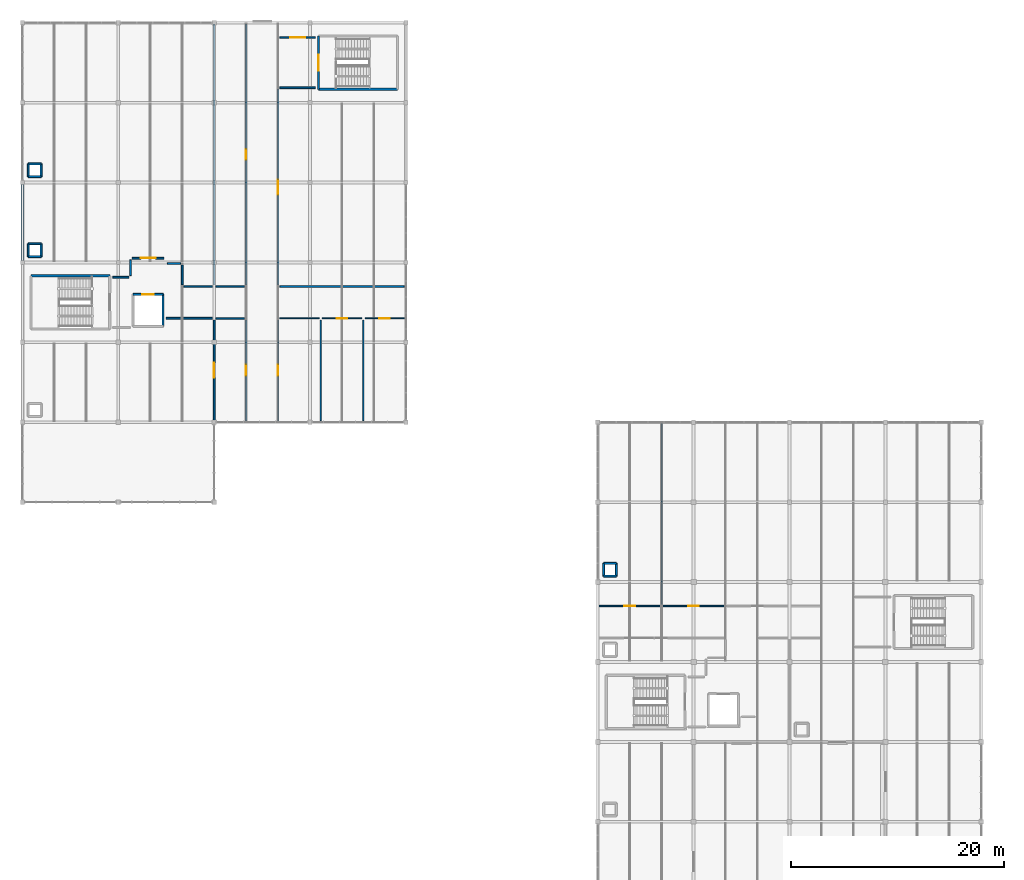
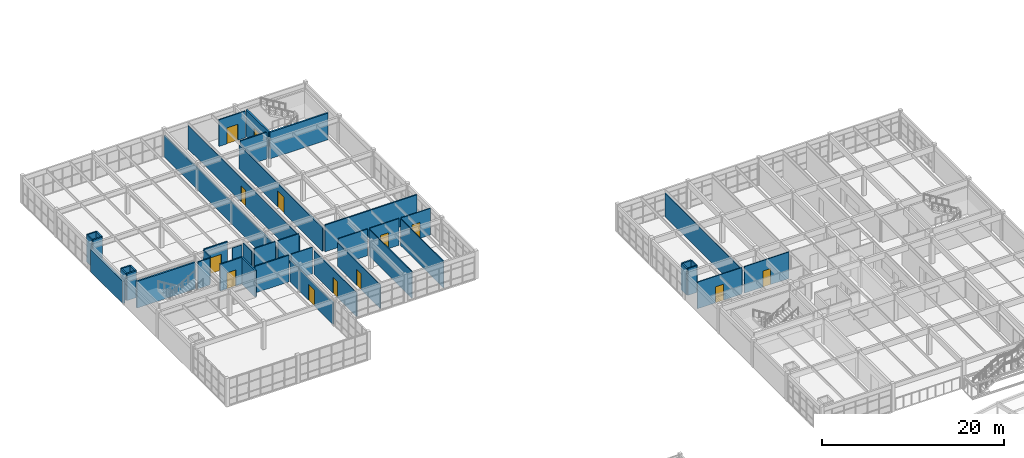
# One storey, part 76 of 81: 44 walls, 13 doors, 13 openings.
"""IFC4 building model written with IfcOpenShell, lengths in metres."""

import ifcopenshell
import ifcopenshell.guid

model = None  # the IFC model being written
_history = None  # IfcOwnerHistory: only IFC2X3 demands one
_inside = {}  # id of a spatial element -> (the spatial element, [elements in it])
_under = {}  # id of a project, library or spatial element -> (it, [spatial elements below it])
_declared = {}  # id of a project -> (the project, [libraries it declares])
_typed = {}  # id of a type object -> (the type object, [elements of that type])
_made_of = {}  # id of a material, layer set ... -> (it, [elements and type objects made of it])


def new_model(schema):
    """Start an empty IFC model of exactly this schema.

    Asked for "IFC4X3", IfcOpenShell would pick the latest addendum, in which some entities
    have other attributes; the version numbers below select the first issue.
    IFC2X3 requires an IfcOwnerHistory on every rooted entity: one is made here for all.
    """
    global model, _history
    if schema == "IFC4X3":
        model = ifcopenshell.file(schema_version=(4, 3, 0, 0))
    else:
        model = ifcopenshell.file(schema=schema)
    _inside.clear()
    _under.clear()
    _declared.clear()
    _typed.clear()
    _made_of.clear()
    _history = None
    if model.schema == "IFC2X3":
        org = make("IfcOrganization", Name="unknown")
        user = make(
            "IfcPersonAndOrganization",
            ThePerson=make("IfcPerson", FamilyName="unknown"),
            TheOrganization=org,
        )
        app = make(
            "IfcApplication",
            ApplicationDeveloper=org,
            Version="unknown",
            ApplicationFullName="unknown",
            ApplicationIdentifier="unknown",
        )
        _history = make(
            "IfcOwnerHistory",
            OwningUser=user,
            OwningApplication=app,
            ChangeAction="ADDED",
            CreationDate=0,
        )
    return model


def make(cls, **values):
    """One entity of the class cls with the attributes given. An attribute that is None is left unset."""
    return model.create_entity(
        cls, **{name: value for name, value in values.items() if value is not None}
    )


def rooted(cls, **values):
    """An entity with a GlobalId (a new one), such as an element, a storey or a relation."""
    return make(cls, GlobalId=ifcopenshell.guid.new(), OwnerHistory=_history, **values)


def si_unit(unit_type, name, prefix=None):
    """IfcSIUnit, for example si_unit("LENGTHUNIT", "METRE", prefix="MILLI")."""
    return make("IfcSIUnit", UnitType=unit_type, Prefix=prefix, Name=name)


def assignment(units):
    """IfcUnitAssignment: the units of a project."""
    return None if units is None else make("IfcUnitAssignment", Units=units)


def point(xyz):
    """IfcCartesianPoint."""
    return None if xyz is None else make("IfcCartesianPoint", Coordinates=xyz)


def direction(xyz):
    """IfcDirection."""
    return None if xyz is None else make("IfcDirection", DirectionRatios=xyz)


def frame(location, z_axis=None, x_axis=None):
    """IfcAxis2Placement3D, a coordinate frame: its origin and axes. An axis left out is left unset."""
    return make(
        "IfcAxis2Placement3D",
        Location=point(location),
        Axis=direction(z_axis),
        RefDirection=direction(x_axis),
    )


def frame_2d(location, x_axis=None):
    """IfcAxis2Placement2D, a coordinate frame in the plane: its origin and x axis."""
    return make(
        "IfcAxis2Placement2D", Location=point(location), RefDirection=direction(x_axis)
    )


def origin():
    """The frame at (0, 0, 0) with its axes left unset."""
    return frame((0.0, 0.0, 0.0))


def place(relative_to, where):
    """IfcLocalPlacement: puts the frame where relative to a parent placement (None: the world)."""
    return make(
        "IfcLocalPlacement", PlacementRelTo=relative_to, RelativePlacement=where
    )


def context(
    kind, dimensions, precision=None, world=None, true_north=None, identifier=None
):
    """IfcGeometricRepresentationContext, for example the 3D "Model" context."""
    return make(
        "IfcGeometricRepresentationContext",
        ContextIdentifier=identifier,
        ContextType=kind,
        CoordinateSpaceDimension=dimensions,
        Precision=precision,
        WorldCoordinateSystem=world,
        TrueNorth=true_north,
    )


def subcontext(parent, identifier, kind, view, scale=None):
    """IfcGeometricRepresentationSubContext, for example "Body" below "Model"."""
    return make(
        "IfcGeometricRepresentationSubContext",
        ContextIdentifier=identifier,
        ContextType=kind,
        ParentContext=parent,
        TargetScale=scale,
        TargetView=view,
    )


def project(units=None, contexts=None):
    """IfcProject with its units and contexts."""
    return rooted(
        "IfcProject",
        Name="project",
        RepresentationContexts=contexts,
        UnitsInContext=assignment(units),
    )


def spatial(cls, under=None, at=None, **own):
    """A site, building, storey or space (cls), placed at a placement, below another one or the project."""
    s = rooted(cls, ObjectPlacement=at, **own)
    if under is not None:
        _under.setdefault(under.id(), (under, []))[1].append(s)
    return s


def profile(cls, at=None, kind="AREA", **sizes):
    """A parametric profile (cls). Its sizes go by their IFC names, for example OverallWidth=200.0."""
    return make(cls, ProfileType=kind, Position=at, **sizes)


def rectangle(**sizes):
    """IfcRectangleProfileDef."""
    return profile("IfcRectangleProfileDef", **sizes)


def extrude(swept, where, along, depth):
    """IfcExtrudedAreaSolid: the profile swept, set in the frame where, extruded along a direction by depth."""
    return make(
        "IfcExtrudedAreaSolid",
        SweptArea=swept,
        Position=where,
        ExtrudedDirection=direction(along),
        Depth=depth,
    )


def shape(context_of_items, identifier, shape_type, items):
    """IfcShapeRepresentation: the items that make up one representation, for example the "Body"."""
    return make(
        "IfcShapeRepresentation",
        ContextOfItems=context_of_items,
        RepresentationIdentifier=identifier,
        RepresentationType=shape_type,
        Items=items,
    )


def material(Name=None, Category=None):
    """IfcMaterial."""
    return make("IfcMaterial", Name=Name, Category=Category)


def layer(
    of_material, thickness, ventilated=None, Name=None, Category=None, Priority=None
):
    """IfcMaterialLayer: one layer of a wall or slab, of a material (None: an air gap)."""
    return make(
        "IfcMaterialLayer",
        Material=of_material,
        LayerThickness=thickness,
        IsVentilated=ventilated,
        Name=Name,
        Category=Category,
        Priority=Priority,
    )


def layer_set(layers, Name=None):
    """IfcMaterialLayerSet."""
    return make("IfcMaterialLayerSet", MaterialLayers=layers, LayerSetName=Name)


def made_of(thing, what):
    """Note that an element or type object is made of a material, layer set ...; save() writes the relation."""
    if what is not None:
        _made_of.setdefault(what.id(), (what, []))[1].append(thing)
    return thing


def type_object(cls, material=None, **own):
    """A type object (cls), such as IfcWallType, which elements share."""
    return made_of(rooted(cls, **own), material)


def element(
    cls,
    number,
    at=None,
    inside=None,
    cuts=None,
    type_object=None,
    material=None,
    context=None,
    identifier="Body",
    shape_type=None,
    held_by="IfcProductDefinitionShape",
    body=None,
    shapes=None,
    **own,
):
    """One element of the class cls, such as IfcWall. Its Tag is "e" and its number.

    at: its placement. inside: the storey or other place that contains it. cuts: it is an
    opening in that element (IfcRelVoidsElement). A single representation is given by context,
    identifier, shape_type and body (its items); several are given by shapes. held_by: the class
    of the entity that holds the representations. save() writes the other relations.
    """
    e = rooted(cls, Tag="e%d" % number, ObjectPlacement=at, **own)
    if body is not None:
        shapes = [shape(context, identifier, shape_type, body)]
    if shapes is not None:
        e.Representation = make(held_by, Representations=shapes)
    if inside is not None:
        _inside.setdefault(inside.id(), (inside, []))[1].append(e)
    if cuts is not None:
        rooted(
            "IfcRelVoidsElement", RelatingBuildingElement=cuts, RelatedOpeningElement=e
        )
    if type_object is not None:
        _typed.setdefault(type_object.id(), (type_object, []))[1].append(e)
    return made_of(e, material)


def fill(opening, filler):
    """IfcRelFillsElement: the door or window that sits in an opening."""
    return rooted(
        "IfcRelFillsElement",
        RelatingOpeningElement=opening,
        RelatedBuildingElement=filler,
    )


def aggregate(whole, parts):
    """IfcRelAggregates: a whole, such as a stair, and the parts it consists of."""
    return rooted("IfcRelAggregates", RelatingObject=whole, RelatedObjects=parts)


def save(model, path):
    """Write the relations noted so far, then the file.

    IfcRelAggregates (storeys below a building ...), IfcRelContainedInSpatialStructure (elements
    in a storey), IfcRelDefinesByType, IfcRelAssociatesMaterial and IfcRelDeclares: one each for
    every whole, place, type object, material and project.
    """
    for whole, parts in _under.values():
        aggregate(whole, parts)
    for where, things in _inside.values():
        rooted(
            "IfcRelContainedInSpatialStructure",
            RelatedElements=things,
            RelatingStructure=where,
        )
    for kind, things in _typed.values():
        rooted("IfcRelDefinesByType", RelatedObjects=things, RelatingType=kind)
    for what, things in _made_of.values():
        rooted("IfcRelAssociatesMaterial", RelatedObjects=things, RelatingMaterial=what)
    for by, libraries in _declared.values():
        rooted("IfcRelDeclares", RelatingContext=by, RelatedDefinitions=libraries)
    model.write(path)


model = new_model("IFC4")

# Units and contexts
model_context = context("Model", 3, precision=1e-05, world=origin(), true_north=direction((0.0, 1.0)))
body_context = subcontext(model_context, "Body", "Model", "MODEL_VIEW")
ifc_project = project(units=[si_unit("LENGTHUNIT", "METRE"), si_unit("AREAUNIT", "SQUARE_METRE"), si_unit("VOLUMEUNIT", "CUBIC_METRE"), si_unit("PLANEANGLEUNIT", "RADIAN"), si_unit("MASSUNIT", "GRAM", prefix="KILO")], contexts=[model_context])

# Site, building, storey
site_placement = place(None, origin())
site = spatial("IfcSite", under=ifc_project, at=site_placement, CompositionType="ELEMENT")
building_placement = place(site_placement, origin())
building = spatial("IfcBuilding", under=site, at=building_placement, Name="Marnridge Secondary College", CompositionType="ELEMENT")
storey_placement = place(building_placement, frame((0.0, 0.0, 8.5)))
storey = spatial("IfcBuildingStorey", under=building, at=storey_placement, Name="L02", CompositionType="ELEMENT", Elevation=8.5)

# Walls
ifc_material_1 = material(Name="Concrete C40/50 (AS 3600 N40, 40 MPa)", Category="concrete")
ifc_layer_1 = layer(ifc_material_1, 0.199951171875)
ifc_layer_set_1 = layer_set([ifc_layer_1], Name="WT-CORE-RC200")
wall_type_1 = type_object("IfcWallType", Name="WT-CORE-RC200", PredefinedType="SHEAR", material=ifc_layer_set_1)
for number, where, z_axis, x_axis, name in (
    (1, (8.199951171875, 96.25, 0.0), (0.0, 0.0, 1.0), (-1.0, 0.0, 0.0), "Stair core shear wall WC-L02-0347"),
    (2, (27.800048828125, 113.75, 0.0), (0.0, 0.0, 1.0), (1.0, 0.0, 0.0), "Stair core shear wall WC-L02-0361"),
):
    element("IfcWall", number, at=place(storey_placement, frame(where, z_axis=z_axis, x_axis=x_axis)), inside=storey, type_object=wall_type_1, Name=name, PredefinedType="SHEAR", context=body_context, shape_type="SweptSolid", body=[
        extrude(rectangle(XDim=7.39990234375, YDim=0.199951171875, at=frame_2d((3.699951171875, 0.0))), origin(), (0.0, 0.0, 1.0), 3.580078125),
    ])

# Wall, opening, door
wall_1_placement = place(storey_placement, frame((27.800048828125, 118.75, 0.0), z_axis=(0.0, 0.0, 1.0), x_axis=(0.0, -1.0, 0.0)))
wall_1 = element("IfcWall", 3, at=wall_1_placement, inside=storey, type_object=wall_type_1, Name="Stair core shear wall WC-L02-0364", PredefinedType="SHEAR", context=body_context, shape_type="SweptSolid", body=[
    extrude(rectangle(XDim=5.0, YDim=0.199951171875, at=frame_2d((2.5, 0.0))), origin(), (0.0, 0.0, 1.0), 3.580078125),
])
opening_1_placement = place(wall_1_placement, frame((1.75, 0.0, 0.0)))
opening_1 = element("IfcOpeningElement", 4, at=opening_1_placement, cuts=wall_1, Name="Opening DC-L02-029", PredefinedType="OPENING", context=body_context, shape_type="SweptSolid", body=[
    extrude(rectangle(XDim=1.5, YDim=2.14990234375, at=frame_2d((0.75, 1.074951171875))), frame((0.0, 0.10986328125, 0.0), z_axis=(0.0, -1.0, 0.0), x_axis=(1.0, 0.0, 0.0)), (0.0, 0.0, 1.0), 0.219970703125),
])
ifc_material_2 = material(Name="Fire-rated solid-core timber doorset", Category="wood")
door_type_1 = type_object("IfcDoorType", Name="DT-CORE-FD150", OperationType="DOUBLE_DOOR_SINGLE_SWING", PredefinedType="DOOR", material=ifc_material_2)
door_1_placement = place(opening_1_placement, origin())
door_1 = element("IfcDoor", 5, at=door_1_placement, inside=storey, type_object=door_type_1, Name="Fire stair door DC-L02-029", OperationType="DOUBLE_DOOR_SINGLE_SWING", OverallHeight=2.14990234375, OverallWidth=1.5, PredefinedType="DOOR", context=body_context, shape_type="SweptSolid", body=[
    extrude(rectangle(XDim=1.5, YDim=2.14990234375, at=frame_2d((0.75, 1.074951171875))), frame((0.0, 0.02490234375, 0.0), z_axis=(0.0, -1.0, 0.0), x_axis=(1.0, 0.0, 0.0)), (0.0, 0.0, 1.0), 0.050048828125),
])
fill(opening_1, door_1)

# Walls
ifc_material_3 = material(Name="Precast concrete C40/50 (AS 3600 N40, 40 MPa)", Category="concrete")
ifc_layer_2 = layer(ifc_material_3, 0.260009765625)
ifc_layer_set_2 = layer_set([ifc_layer_2], Name="WT-EXT-PC260")
wall_type_2 = type_object("IfcWallType", Name="WT-EXT-PC260", PredefinedType="SOLIDWALL", material=ifc_layer_set_2)
wall_2_placement = place(storey_placement, frame((0.0, 97.696044921875, 0.0), z_axis=(0.0, 0.0, 1.0), x_axis=(0.0, 1.0, 0.0)))
element("IfcWall", 6, at=wall_2_placement, inside=storey, type_object=wall_type_2, Name="Exterior wall WE-L02-0157", PredefinedType="SOLIDWALL", context=body_context, shape_type="SweptSolid", body=[
    extrude(rectangle(XDim=7.10791015625, YDim=0.260009765625, at=frame_2d((3.553955078125, 0.0))), origin(), (0.0, 0.0, 1.0), 2.987060546875),
])
ifc_material_4 = material(Name="Acoustic plasterboard partition Rw45", Category="gypsum")
ifc_layer_3 = layer(ifc_material_4, 0.1201171875)
ifc_layer_set_3 = layer_set([ifc_layer_3], Name="WT-PART-AC120")
wall_type_3 = type_object("IfcWallType", Name="WT-PART-AC120", PredefinedType="PARTITIONING", material=ifc_layer_set_3)
wall_3_placement = place(storey_placement, frame((20.840087890625, 92.25, 0.0), z_axis=(0.0, 0.0, 1.0), x_axis=(-1.0, 0.0, 0.0)))
element("IfcWall", 7, at=wall_3_placement, inside=storey, type_object=wall_type_3, Name="Interior partition WP-L02-0281", PredefinedType="PARTITIONING", context=body_context, shape_type="SweptSolid", body=[
    extrude(rectangle(XDim=2.68017578125, YDim=0.1201171875, at=frame_2d((1.340087890625, 0.0))), origin(), (0.0, 0.0, 1.0), 3.580078125),
])

# Wall, opening, door
wall_4_placement = place(storey_placement, frame((21.0, 95.409912109375, 0.0), z_axis=(0.0, 0.0, 1.0), x_axis=(0.0, 1.0, 0.0)))
wall_4 = element("IfcWall", 8, at=wall_4_placement, inside=storey, type_object=wall_type_3, Name="Interior partition WP-L02-0289", PredefinedType="PARTITIONING", context=body_context, shape_type="SweptSolid", body=[
    extrude(rectangle(XDim=24.43017578125, YDim=0.1201171875, at=frame_2d((12.215087890625, 0.0))), origin(), (0.0, 0.0, 1.0), 3.172119140625),
])
opening_2_placement = place(wall_4_placement, frame((11.715087890625, 0.0, 0.0)))
opening_2 = element("IfcOpeningElement", 9, at=opening_2_placement, cuts=wall_4, Name="Opening DI-L02-0103", PredefinedType="OPENING", context=body_context, shape_type="SweptSolid", body=[
    extrude(rectangle(XDim=1.0, YDim=2.14990234375, at=frame_2d((0.5, 1.074951171875))), frame((0.0, 0.070068359375, 0.0), z_axis=(0.0, -1.0, 0.0), x_axis=(1.0, 0.0, 0.0)), (0.0, 0.0, 1.0), 0.14013671875),
])
ifc_material_5 = material(Name="Solid-core acoustic hoop-pine classroom doorset", Category="wood")
door_type_2 = type_object("IfcDoorType", Name="DT-CLS-100", OperationType="NOTDEFINED", PredefinedType="DOOR", material=ifc_material_5)
door_2_placement = place(opening_2_placement, origin())
door_2 = element("IfcDoor", 10, at=door_2_placement, inside=storey, type_object=door_type_2, Name="Interior door DI-L02-0103", OperationType="SINGLE_SWING_LEFT", OverallHeight=2.14990234375, OverallWidth=1.0, PredefinedType="DOOR", context=body_context, shape_type="SweptSolid", body=[
    extrude(rectangle(XDim=1.0, YDim=2.14990234375, at=frame_2d((0.5, 1.074951171875))), frame((0.0, 0.02490234375, 0.0), z_axis=(0.0, -1.0, 0.0), x_axis=(1.0, 0.0, 0.0)), (0.0, 0.0, 1.0), 0.050048828125),
])
fill(opening_2, door_2)

ifc_material_6 = material(Name="Acoustic plasterboard partition Rw48", Category="gypsum")
ifc_layer_4 = layer(ifc_material_6, 0.135009765625)
ifc_layer_set_4 = layer_set([ifc_layer_4], Name="WT-PART-AC135")
wall_type_4 = type_object("IfcWallType", Name="WT-PART-AC135", PredefinedType="PARTITIONING", material=ifc_layer_set_4)
wall_5_placement = place(storey_placement, frame((21.0, 82.659912109375, 0.0), z_axis=(0.0, 0.0, 1.0), x_axis=(0.0, 1.0, 0.0)))
wall_5 = element("IfcWall", 11, at=wall_5_placement, inside=storey, type_object=wall_type_4, Name="Interior partition WP-L02-0280", PredefinedType="PARTITIONING", context=body_context, shape_type="SweptSolid", body=[
    extrude(rectangle(XDim=9.43017578125, YDim=0.135009765625, at=frame_2d((4.715087890625, 0.0))), origin(), (0.0, 0.0, 1.0), 3.172119140625),
])
opening_3_placement = place(wall_5_placement, frame((4.215087890625, 0.0, 0.0)))
opening_3 = element("IfcOpeningElement", 12, at=opening_3_placement, cuts=wall_5, Name="Opening DI-L02-0101", PredefinedType="OPENING", context=body_context, shape_type="SweptSolid", body=[
    extrude(rectangle(XDim=1.0, YDim=2.14990234375, at=frame_2d((0.5, 1.074951171875))), frame((0.0, 0.077392578125, 0.0), z_axis=(0.0, -1.0, 0.0), x_axis=(1.0, 0.0, 0.0)), (0.0, 0.0, 1.0), 0.155029296875),
])
door_3_placement = place(opening_3_placement, origin())
door_3 = element("IfcDoor", 13, at=door_3_placement, inside=storey, type_object=door_type_2, Name="Interior door DI-L02-0101", OperationType="SINGLE_SWING_LEFT", OverallHeight=2.14990234375, OverallWidth=1.0, PredefinedType="DOOR", context=body_context, shape_type="SweptSolid", body=[
    extrude(rectangle(XDim=1.0, YDim=2.14990234375, at=frame_2d((0.5, 1.074951171875))), frame((0.0, 0.02490234375, 0.0), z_axis=(0.0, -1.0, 0.0), x_axis=(1.0, 0.0, 0.0)), (0.0, 0.0, 1.0), 0.050048828125),
])
fill(opening_3, door_3)

# Walls
wall_6_placement = place(storey_placement, frame((18.159912109375, 95.25, 0.0), z_axis=(0.0, 0.0, 1.0), x_axis=(1.0, 0.0, 0.0)))
element("IfcWall", 14, at=wall_6_placement, inside=storey, type_object=wall_type_4, Name="Interior partition WP-L02-0288", PredefinedType="PARTITIONING", context=body_context, shape_type="SweptSolid", body=[
    extrude(rectangle(XDim=2.68017578125, YDim=0.135009765625, at=frame_2d((1.340087890625, 0.0))), origin(), (0.0, 0.0, 1.0), 3.580078125),
])
ifc_material_7 = material(Name="Acoustic plasterboard on steel Grade 350 framing Rw50", Category="steel")
ifc_layer_5 = layer(ifc_material_7, 0.14990234375)
ifc_layer_set_5 = layer_set([ifc_layer_5], Name="WT-PART-AC150")
wall_type_5 = type_object("IfcWallType", Name="WT-PART-AC150", PredefinedType="PARTITIONING", material=ifc_layer_set_5)
wall_7_placement = place(storey_placement, frame((15.159912109375, 95.25, 0.0), z_axis=(0.0, 0.0, 1.0), x_axis=(1.0, 0.0, 0.0)))
element("IfcWall", 15, at=wall_7_placement, inside=storey, type_object=wall_type_5, Name="Interior partition WP-L02-0283", PredefinedType="PARTITIONING", context=body_context, shape_type="SweptSolid", body=[
    extrude(rectangle(XDim=2.68017578125, YDim=0.14990234375, at=frame_2d((1.340087890625, 0.0))), origin(), (0.0, 0.0, 1.0), 3.580078125),
])
wall_8_placement = place(storey_placement, frame((10.14990234375, 96.260009765625, 0.0), z_axis=(0.0, 0.0, 1.0), x_axis=(0.0, 1.0, 0.0)))
element("IfcWall", 16, at=wall_8_placement, inside=storey, type_object=wall_type_5, Name="Interior partition WP-L02-0285", PredefinedType="PARTITIONING", context=body_context, shape_type="SweptSolid", body=[
    extrude(rectangle(XDim=1.47998046875, YDim=0.14990234375, at=frame_2d((0.739990234375, 0.0))), origin(), (0.0, 0.0, 1.0), 3.580078125),
])
wall_9_placement = place(storey_placement, frame((13.610107421875, 97.39990234375, 0.0), z_axis=(0.0, 0.0, 1.0), x_axis=(1.0, 0.0, 0.0)))
element("IfcWall", 17, at=wall_9_placement, inside=storey, type_object=wall_type_5, Name="Interior partition WP-L02-0287", PredefinedType="PARTITIONING", context=body_context, shape_type="SweptSolid", body=[
    extrude(rectangle(XDim=1.22998046875, YDim=0.14990234375, at=frame_2d((0.614990234375, 0.0))), origin(), (0.0, 0.0, 1.0), 2.8798828125),
])

# Wall, opening, door
wall_10_placement = place(storey_placement, frame((24.0, 113.739990234375, 0.0), z_axis=(0.0, 0.0, 1.0), x_axis=(0.0, -1.0, 0.0)))
wall_10 = element("IfcWall", 18, at=wall_10_placement, inside=storey, type_object=wall_type_5, Name="Interior partition WP-L02-0291", PredefinedType="PARTITIONING", context=body_context, shape_type="SweptSolid", body=[
    extrude(rectangle(XDim=18.330078125, YDim=0.14990234375, at=frame_2d((9.1650390625, 0.0))), origin(), (0.0, 0.0, 1.0), 3.172119140625),
])
opening_4_placement = place(wall_10_placement, frame((8.465087890625, 0.0, 0.0)))
opening_4 = element("IfcOpeningElement", 19, at=opening_4_placement, cuts=wall_10, Name="Opening DI-L02-0104", PredefinedType="OPENING", context=body_context, shape_type="SweptSolid", body=[
    extrude(rectangle(XDim=1.39990234375, YDim=2.14990234375, at=frame_2d((0.699951171875, 1.074951171875))), frame((0.0, 0.0849609375, 0.0), z_axis=(0.0, -1.0, 0.0), x_axis=(1.0, 0.0, 0.0)), (0.0, 0.0, 1.0), 0.169921875),
])
ifc_material_8 = material(Name="Laboratory leaf-and-a-half vision-panel doorset", Category="wood")
door_type_3 = type_object("IfcDoorType", Name="DT-LAB-140", OperationType="DOUBLE_DOOR_SINGLE_SWING", PredefinedType="DOOR", material=ifc_material_8)
door_4_placement = place(opening_4_placement, origin())
door_4 = element("IfcDoor", 20, at=door_4_placement, inside=storey, type_object=door_type_3, Name="Interior door DI-L02-0104", OperationType="DOUBLE_DOOR_SINGLE_SWING", OverallHeight=2.14990234375, OverallWidth=1.39990234375, PredefinedType="DOOR", context=body_context, shape_type="SweptSolid", body=[
    extrude(rectangle(XDim=1.39990234375, YDim=2.14990234375, at=frame_2d((0.699951171875, 1.074951171875))), frame((0.0, 0.02490234375, 0.0), z_axis=(0.0, -1.0, 0.0), x_axis=(1.0, 0.0, 0.0)), (0.0, 0.0, 1.0), 0.050048828125),
])
fill(opening_4, door_4)

wall_11_placement = place(storey_placement, frame((24.159912109375, 118.60009765625, 0.0), z_axis=(0.0, 0.0, 1.0), x_axis=(1.0, 0.0, 0.0)))
wall_11 = element("IfcWall", 21, at=wall_11_placement, inside=storey, type_object=wall_type_5, Name="Interior partition WP-L02-0293", PredefinedType="PARTITIONING", context=body_context, shape_type="SweptSolid", body=[
    extrude(rectangle(XDim=3.340087890625, YDim=0.14990234375, at=frame_2d((1.669921875, 0.0))), origin(), (0.0, 0.0, 1.0), 3.580078125),
])
opening_5_placement = place(wall_11_placement, frame((0.969970703125, 0.0, 0.0)))
opening_5 = element("IfcOpeningElement", 22, at=opening_5_placement, cuts=wall_11, Name="Opening DI-L02-0105", PredefinedType="OPENING", context=body_context, shape_type="SweptSolid", body=[
    extrude(rectangle(XDim=1.39990234375, YDim=2.14990234375, at=frame_2d((0.699951171875, 1.074951171875))), frame((0.0, 0.0849609375, 0.0), z_axis=(0.0, -1.0, 0.0), x_axis=(1.0, 0.0, 0.0)), (0.0, 0.0, 1.0), 0.169921875),
])
door_5_placement = place(opening_5_placement, origin())
door_5 = element("IfcDoor", 23, at=door_5_placement, inside=storey, type_object=door_type_3, Name="Interior door DI-L02-0105", OperationType="DOUBLE_DOOR_SINGLE_SWING", OverallHeight=2.14990234375, OverallWidth=1.39990234375, PredefinedType="DOOR", context=body_context, shape_type="SweptSolid", body=[
    extrude(rectangle(XDim=1.39990234375, YDim=2.14990234375, at=frame_2d((0.699951171875, 1.074951171875))), frame((0.0, 0.02490234375, 0.0), z_axis=(0.0, -1.0, 0.0), x_axis=(1.0, 0.0, 0.0)), (0.0, 0.0, 1.0), 0.050048828125),
])
fill(opening_5, door_5)

# Walls
wall_12_placement = place(storey_placement, frame((18.0, 95.409912109375, 0.0), z_axis=(0.0, 0.0, 1.0), x_axis=(0.0, 1.0, 0.0)))
element("IfcWall", 24, at=wall_12_placement, inside=storey, type_object=wall_type_5, Name="Interior partition WP-L02-0295", PredefinedType="PARTITIONING", context=body_context, shape_type="SweptSolid", body=[
    extrude(rectangle(XDim=24.43017578125, YDim=0.14990234375, at=frame_2d((12.215087890625, 0.0))), origin(), (0.0, 0.0, 1.0), 2.8798828125),
])
ifc_material_9 = material(Name="Acoustic plasterboard on twin steel Grade 350 framing Rw55", Category="steel")
ifc_layer_6 = layer(ifc_material_9, 0.1650390625)
ifc_layer_set_6 = layer_set([ifc_layer_6], Name="WT-PART-AC165")
wall_type_6 = type_object("IfcWallType", Name="WT-PART-AC165", PredefinedType="PARTITIONING", material=ifc_layer_set_6)
wall_13_placement = place(storey_placement, frame((17.840087890625, 92.25, 0.0), z_axis=(0.0, 0.0, 1.0), x_axis=(-1.0, 0.0, 0.0)))
element("IfcWall", 25, at=wall_13_placement, inside=storey, type_object=wall_type_6, Name="Interior partition WP-L02-0278", PredefinedType="PARTITIONING", context=body_context, shape_type="SweptSolid", body=[
    extrude(rectangle(XDim=4.340087890625, YDim=0.1650390625, at=frame_2d((2.169921875, 0.0))), origin(), (0.0, 0.0, 1.0), 3.580078125),
])
wall_14_placement = place(storey_placement, frame((15.0, 97.239990234375, 0.0), z_axis=(0.0, 0.0, 1.0), x_axis=(0.0, -1.0, 0.0)))
element("IfcWall", 26, at=wall_14_placement, inside=storey, type_object=wall_type_6, Name="Interior partition WP-L02-0282", PredefinedType="PARTITIONING", context=body_context, shape_type="SweptSolid", body=[
    extrude(rectangle(XDim=1.830078125, YDim=0.1650390625, at=frame_2d((0.9150390625, 0.0))), origin(), (0.0, 0.0, 1.0), 3.172119140625),
])
wall_15_placement = place(storey_placement, frame((8.5, 96.10009765625, 0.0), z_axis=(0.0, 0.0, 1.0), x_axis=(1.0, 0.0, 0.0)))
element("IfcWall", 27, at=wall_15_placement, inside=storey, type_object=wall_type_6, Name="Interior partition WP-L02-0284", PredefinedType="PARTITIONING", context=body_context, shape_type="SweptSolid", body=[
    extrude(rectangle(XDim=1.489990234375, YDim=0.1650390625, at=frame_2d((0.7451171875, 0.0))), origin(), (0.0, 0.0, 1.0), 3.580078125),
])

# Wall, opening, door
wall_16_placement = place(storey_placement, frame((10.31005859375, 97.89990234375, 0.0), z_axis=(0.0, 0.0, 1.0), x_axis=(1.0, 0.0, 0.0)))
wall_16 = element("IfcWall", 28, at=wall_16_placement, inside=storey, type_object=wall_type_6, Name="Interior partition WP-L02-0286", PredefinedType="PARTITIONING", context=body_context, shape_type="SweptSolid", body=[
    extrude(rectangle(XDim=2.97998046875, YDim=0.1650390625, at=frame_2d((1.489990234375, 0.0))), origin(), (0.0, 0.0, 1.0), 3.580078125),
])
opening_6_placement = place(wall_16_placement, frame((0.7900390625, 0.0, 0.0)))
opening_6 = element("IfcOpeningElement", 29, at=opening_6_placement, cuts=wall_16, Name="Opening DI-L02-0102", PredefinedType="OPENING", context=body_context, shape_type="SweptSolid", body=[
    extrude(rectangle(XDim=1.39990234375, YDim=2.14990234375, at=frame_2d((0.699951171875, 1.074951171875))), frame((0.0, 0.092529296875, 0.0), z_axis=(0.0, -1.0, 0.0), x_axis=(1.0, 0.0, 0.0)), (0.0, 0.0, 1.0), 0.18505859375),
])
door_6_placement = place(opening_6_placement, origin())
door_6 = element("IfcDoor", 30, at=door_6_placement, inside=storey, type_object=door_type_3, Name="Interior door DI-L02-0102", OperationType="DOUBLE_DOOR_SINGLE_SWING", OverallHeight=2.14990234375, OverallWidth=1.39990234375, PredefinedType="DOOR", context=body_context, shape_type="SweptSolid", body=[
    extrude(rectangle(XDim=1.39990234375, YDim=2.14990234375, at=frame_2d((0.699951171875, 1.074951171875))), frame((0.0, 0.02490234375, 0.0), z_axis=(0.0, -1.0, 0.0), x_axis=(1.0, 0.0, 0.0)), (0.0, 0.0, 1.0), 0.050048828125),
])
fill(opening_6, door_6)

# Walls
wall_17_placement = place(storey_placement, frame((27.5, 113.89990234375, 0.0), z_axis=(0.0, 0.0, 1.0), x_axis=(-1.0, 0.0, 0.0)))
element("IfcWall", 31, at=wall_17_placement, inside=storey, type_object=wall_type_6, Name="Interior partition WP-L02-0290", PredefinedType="PARTITIONING", context=body_context, shape_type="SweptSolid", body=[
    extrude(rectangle(XDim=3.340087890625, YDim=0.1650390625, at=frame_2d((1.669921875, 0.0))), origin(), (0.0, 0.0, 1.0), 3.580078125),
])
wall_18_placement = place(storey_placement, frame((24.159912109375, 95.25, 0.0), z_axis=(0.0, 0.0, 1.0), x_axis=(1.0, 0.0, 0.0)))
element("IfcWall", 32, at=wall_18_placement, inside=storey, type_object=wall_type_6, Name="Interior partition WP-L02-0292", PredefinedType="PARTITIONING", context=body_context, shape_type="SweptSolid", body=[
    extrude(rectangle(XDim=11.68017578125, YDim=0.1650390625, at=frame_2d((5.840087890625, 0.0))), origin(), (0.0, 0.0, 1.0), 3.580078125),
])

# Wall, opening, door
wall_19_placement = place(storey_placement, frame((18.0, 82.659912109375, 0.0), z_axis=(0.0, 0.0, 1.0), x_axis=(0.0, 1.0, 0.0)))
wall_19 = element("IfcWall", 33, at=wall_19_placement, inside=storey, type_object=wall_type_6, Name="Interior partition WP-L02-0294", PredefinedType="PARTITIONING", context=body_context, shape_type="SweptSolid", body=[
    extrude(rectangle(XDim=9.43017578125, YDim=0.1650390625, at=frame_2d((4.715087890625, 0.0))), origin(), (0.0, 0.0, 1.0), 2.8798828125),
])
opening_7_placement = place(wall_19_placement, frame((4.014892578125, 0.0, 0.0)))
opening_7 = element("IfcOpeningElement", 34, at=opening_7_placement, cuts=wall_19, Name="Opening DI-L02-0100", PredefinedType="OPENING", context=body_context, shape_type="SweptSolid", body=[
    extrude(rectangle(XDim=1.39990234375, YDim=2.14990234375, at=frame_2d((0.699951171875, 1.074951171875))), frame((0.0, 0.092529296875, 0.0), z_axis=(0.0, -1.0, 0.0), x_axis=(1.0, 0.0, 0.0)), (0.0, 0.0, 1.0), 0.18505859375),
])
door_7_placement = place(opening_7_placement, origin())
door_7 = element("IfcDoor", 35, at=door_7_placement, inside=storey, type_object=door_type_3, Name="Interior door DI-L02-0100", OperationType="DOUBLE_DOOR_SINGLE_SWING", OverallHeight=2.14990234375, OverallWidth=1.39990234375, PredefinedType="DOOR", context=body_context, shape_type="SweptSolid", body=[
    extrude(rectangle(XDim=1.39990234375, YDim=2.14990234375, at=frame_2d((0.699951171875, 1.074951171875))), frame((0.0, 0.02490234375, 0.0), z_axis=(0.0, -1.0, 0.0), x_axis=(1.0, 0.0, 0.0)), (0.0, 0.0, 1.0), 0.050048828125),
])
fill(opening_7, door_7)

# Wall
ifc_material_10 = material(Name="Moisture-resistant plasterboard sanitary partition", Category="gypsum")
ifc_layer_7 = layer(ifc_material_10, 0.110107421875)
ifc_layer_set_7 = layer_set([ifc_layer_7], Name="WT-PART-WT110")
wall_type_7 = type_object("IfcWallType", Name="WT-PART-WT110", PredefinedType="PARTITIONING", material=ifc_layer_set_7)
wall_20_placement = place(storey_placement, frame((60.0, 65.409912109375, 0.0), z_axis=(0.0, 0.0, 1.0), x_axis=(0.0, 1.0, 0.0)))
element("IfcWall", 36, at=wall_20_placement, inside=storey, type_object=wall_type_7, Name="Interior partition WP-L02-0229", PredefinedType="PARTITIONING", context=body_context, shape_type="SweptSolid", body=[
    extrude(rectangle(XDim=16.93017578125, YDim=0.110107421875, at=frame_2d((8.465087890625, 0.0))), origin(), (0.0, 0.0, 1.0), 3.162109375),
])

# Wall, opening, door
wall_21_placement = place(storey_placement, frame((54.159912109375, 65.25, 0.0), z_axis=(0.0, 0.0, 1.0), x_axis=(1.0, 0.0, 0.0)))
wall_21 = element("IfcWall", 37, at=wall_21_placement, inside=storey, type_object=wall_type_7, Name="Interior partition WP-L02-0230", PredefinedType="PARTITIONING", context=body_context, shape_type="SweptSolid", body=[
    extrude(rectangle(XDim=5.68017578125, YDim=0.110107421875, at=frame_2d((2.840087890625, 0.0))), origin(), (0.0, 0.0, 1.0), 3.570068359375),
])
opening_8_placement = place(wall_21_placement, frame((2.340087890625, 0.0, 0.0)))
opening_8 = element("IfcOpeningElement", 38, at=opening_8_placement, cuts=wall_21, Name="Opening DI-L02-0081", PredefinedType="OPENING", context=body_context, shape_type="SweptSolid", body=[
    extrude(rectangle(XDim=1.0, YDim=2.14990234375, at=frame_2d((0.5, 1.074951171875))), frame((0.0, 0.06494140625, 0.0), z_axis=(0.0, -1.0, 0.0), x_axis=(1.0, 0.0, 0.0)), (0.0, 0.0, 1.0), 0.130126953125),
])
door_8_placement = place(opening_8_placement, origin())
door_8 = element("IfcDoor", 39, at=door_8_placement, inside=storey, type_object=door_type_2, Name="Interior door DI-L02-0081", OperationType="SINGLE_SWING_LEFT", OverallHeight=2.14990234375, OverallWidth=1.0, PredefinedType="DOOR", context=body_context, shape_type="SweptSolid", body=[
    extrude(rectangle(XDim=1.0, YDim=2.14990234375, at=frame_2d((0.5, 1.074951171875))), frame((0.0, 0.02490234375, 0.0), z_axis=(0.0, -1.0, 0.0), x_axis=(1.0, 0.0, 0.0)), (0.0, 0.0, 1.0), 0.050048828125),
])
fill(opening_8, door_8)

wall_22_placement = place(storey_placement, frame((60.159912109375, 65.25, 0.0), z_axis=(0.0, 0.0, 1.0), x_axis=(1.0, 0.0, 0.0)))
wall_22 = element("IfcWall", 40, at=wall_22_placement, inside=storey, type_object=wall_type_7, Name="Interior partition WP-L02-0232", PredefinedType="PARTITIONING", context=body_context, shape_type="SweptSolid", body=[
    extrude(rectangle(XDim=5.68017578125, YDim=0.110107421875, at=frame_2d((2.840087890625, 0.0))), origin(), (0.0, 0.0, 1.0), 3.570068359375),
])
opening_9_placement = place(wall_22_placement, frame((2.340087890625, 0.0, 0.0)))
opening_9 = element("IfcOpeningElement", 41, at=opening_9_placement, cuts=wall_22, Name="Opening DI-L02-0082", PredefinedType="OPENING", context=body_context, shape_type="SweptSolid", body=[
    extrude(rectangle(XDim=1.0, YDim=2.14990234375, at=frame_2d((0.5, 1.074951171875))), frame((0.0, 0.06494140625, 0.0), z_axis=(0.0, -1.0, 0.0), x_axis=(1.0, 0.0, 0.0)), (0.0, 0.0, 1.0), 0.130126953125),
])
door_9_placement = place(opening_9_placement, origin())
door_9 = element("IfcDoor", 42, at=door_9_placement, inside=storey, type_object=door_type_2, Name="Interior door DI-L02-0082", OperationType="SINGLE_SWING_RIGHT", OverallHeight=2.14990234375, OverallWidth=1.0, PredefinedType="DOOR", context=body_context, shape_type="SweptSolid", body=[
    extrude(rectangle(XDim=1.0, YDim=2.14990234375, at=frame_2d((0.5, 1.074951171875))), frame((0.0, 0.02490234375, 0.0), z_axis=(0.0, -1.0, 0.0), x_axis=(1.0, 0.0, 0.0)), (0.0, 0.0, 1.0), 0.050048828125),
])
fill(opening_9, door_9)

# Wall
wall_23_placement = place(storey_placement, frame((28.0, 82.659912109375, 0.0), z_axis=(0.0, 0.0, 1.0), x_axis=(0.0, 1.0, 0.0)))
element("IfcWall", 43, at=wall_23_placement, inside=storey, type_object=wall_type_7, Name="Interior partition WP-L02-0272", PredefinedType="PARTITIONING", context=body_context, shape_type="SweptSolid", body=[
    extrude(rectangle(XDim=9.43017578125, YDim=0.110107421875, at=frame_2d((4.715087890625, 0.0))), origin(), (0.0, 0.0, 1.0), 3.580078125),
])

# Wall, opening, door
wall_24_placement = place(storey_placement, frame((24.0, 92.090087890625, 0.0), z_axis=(0.0, 0.0, 1.0), x_axis=(0.0, -1.0, 0.0)))
wall_24 = element("IfcWall", 44, at=wall_24_placement, inside=storey, type_object=wall_type_7, Name="Interior partition WP-L02-0273", PredefinedType="PARTITIONING", context=body_context, shape_type="SweptSolid", body=[
    extrude(rectangle(XDim=9.43017578125, YDim=0.110107421875, at=frame_2d((4.715087890625, 0.0))), origin(), (0.0, 0.0, 1.0), 3.172119140625),
])
opening_10_placement = place(wall_24_placement, frame((4.215087890625, 0.0, 0.0)))
opening_10 = element("IfcOpeningElement", 45, at=opening_10_placement, cuts=wall_24, Name="Opening DI-L02-0097", PredefinedType="OPENING", context=body_context, shape_type="SweptSolid", body=[
    extrude(rectangle(XDim=1.0, YDim=2.14990234375, at=frame_2d((0.5, 1.074951171875))), frame((0.0, 0.06494140625, 0.0), z_axis=(0.0, -1.0, 0.0), x_axis=(1.0, 0.0, 0.0)), (0.0, 0.0, 1.0), 0.130126953125),
])
door_10_placement = place(opening_10_placement, origin())
door_10 = element("IfcDoor", 46, at=door_10_placement, inside=storey, type_object=door_type_2, Name="Interior door DI-L02-0097", OperationType="SINGLE_SWING_LEFT", OverallHeight=2.14990234375, OverallWidth=1.0, PredefinedType="DOOR", context=body_context, shape_type="SweptSolid", body=[
    extrude(rectangle(XDim=1.0, YDim=2.14990234375, at=frame_2d((0.5, 1.074951171875))), frame((0.0, 0.02490234375, 0.0), z_axis=(0.0, -1.0, 0.0), x_axis=(1.0, 0.0, 0.0)), (0.0, 0.0, 1.0), 0.050048828125),
])
fill(opening_10, door_10)

# Walls
wall_25_placement = place(storey_placement, frame((27.840087890625, 92.25, 0.0), z_axis=(0.0, 0.0, 1.0), x_axis=(-1.0, 0.0, 0.0)))
element("IfcWall", 47, at=wall_25_placement, inside=storey, type_object=wall_type_7, Name="Interior partition WP-L02-0274", PredefinedType="PARTITIONING", context=body_context, shape_type="SweptSolid", body=[
    extrude(rectangle(XDim=3.68017578125, YDim=0.110107421875, at=frame_2d((1.840087890625, 0.0))), origin(), (0.0, 0.0, 1.0), 3.580078125),
])
wall_26_placement = place(storey_placement, frame((32.0, 82.659912109375, 0.0), z_axis=(0.0, 0.0, 1.0), x_axis=(0.0, 1.0, 0.0)))
element("IfcWall", 48, at=wall_26_placement, inside=storey, type_object=wall_type_7, Name="Interior partition WP-L02-0275", PredefinedType="PARTITIONING", context=body_context, shape_type="SweptSolid", body=[
    extrude(rectangle(XDim=9.43017578125, YDim=0.110107421875, at=frame_2d((4.715087890625, 0.0))), origin(), (0.0, 0.0, 1.0), 3.580078125),
])

# Wall, opening, door
wall_27_placement = place(storey_placement, frame((31.840087890625, 92.25, 0.0), z_axis=(0.0, 0.0, 1.0), x_axis=(-1.0, 0.0, 0.0)))
wall_27 = element("IfcWall", 49, at=wall_27_placement, inside=storey, type_object=wall_type_7, Name="Interior partition WP-L02-0276", PredefinedType="PARTITIONING", context=body_context, shape_type="SweptSolid", body=[
    extrude(rectangle(XDim=3.68017578125, YDim=0.110107421875, at=frame_2d((1.840087890625, 0.0))), origin(), (0.0, 0.0, 1.0), 3.580078125),
])
opening_11_placement = place(wall_27_placement, frame((1.340087890625, 0.0, 0.0)))
opening_11 = element("IfcOpeningElement", 50, at=opening_11_placement, cuts=wall_27, Name="Opening DI-L02-0098", PredefinedType="OPENING", context=body_context, shape_type="SweptSolid", body=[
    extrude(rectangle(XDim=1.0, YDim=2.14990234375, at=frame_2d((0.5, 1.074951171875))), frame((0.0, 0.06494140625, 0.0), z_axis=(0.0, -1.0, 0.0), x_axis=(1.0, 0.0, 0.0)), (0.0, 0.0, 1.0), 0.130126953125),
])
door_11_placement = place(opening_11_placement, origin())
door_11 = element("IfcDoor", 51, at=door_11_placement, inside=storey, type_object=door_type_2, Name="Interior door DI-L02-0098", OperationType="SINGLE_SWING_RIGHT", OverallHeight=2.14990234375, OverallWidth=1.0, PredefinedType="DOOR", context=body_context, shape_type="SweptSolid", body=[
    extrude(rectangle(XDim=1.0, YDim=2.14990234375, at=frame_2d((0.5, 1.074951171875))), frame((0.0, 0.02490234375, 0.0), z_axis=(0.0, -1.0, 0.0), x_axis=(1.0, 0.0, 0.0)), (0.0, 0.0, 1.0), 0.050048828125),
])
fill(opening_11, door_11)

wall_28_placement = place(storey_placement, frame((35.840087890625, 92.25, 0.0), z_axis=(0.0, 0.0, 1.0), x_axis=(-1.0, 0.0, 0.0)))
wall_28 = element("IfcWall", 52, at=wall_28_placement, inside=storey, type_object=wall_type_7, Name="Interior partition WP-L02-0277", PredefinedType="PARTITIONING", context=body_context, shape_type="SweptSolid", body=[
    extrude(rectangle(XDim=3.68017578125, YDim=0.110107421875, at=frame_2d((1.840087890625, 0.0))), origin(), (0.0, 0.0, 1.0), 3.580078125),
])
opening_12_placement = place(wall_28_placement, frame((1.340087890625, 0.0, 0.0)))
opening_12 = element("IfcOpeningElement", 53, at=opening_12_placement, cuts=wall_28, Name="Opening DI-L02-0099", PredefinedType="OPENING", context=body_context, shape_type="SweptSolid", body=[
    extrude(rectangle(XDim=1.0, YDim=2.14990234375, at=frame_2d((0.5, 1.074951171875))), frame((0.0, 0.06494140625, 0.0), z_axis=(0.0, -1.0, 0.0), x_axis=(1.0, 0.0, 0.0)), (0.0, 0.0, 1.0), 0.130126953125),
])
door_12_placement = place(opening_12_placement, origin())
door_12 = element("IfcDoor", 54, at=door_12_placement, inside=storey, type_object=door_type_2, Name="Interior door DI-L02-0099", OperationType="SINGLE_SWING_LEFT", OverallHeight=2.14990234375, OverallWidth=1.0, PredefinedType="DOOR", context=body_context, shape_type="SweptSolid", body=[
    extrude(rectangle(XDim=1.0, YDim=2.14990234375, at=frame_2d((0.5, 1.074951171875))), frame((0.0, 0.02490234375, 0.0), z_axis=(0.0, -1.0, 0.0), x_axis=(1.0, 0.0, 0.0)), (0.0, 0.0, 1.0), 0.050048828125),
])
fill(opening_12, door_12)

# Walls
ifc_material_11 = material(Name="Concrete C40/50 (AS 3600 N40, 40 MPa)", Category="concrete")
ifc_layer_8 = layer(ifc_material_11, 0.179931640625)
ifc_layer_set_8 = layer_set([ifc_layer_8], Name="WT-SHAFT-RC180")
wall_type_8 = type_object("IfcWallType", Name="WT-SHAFT-RC180", PredefinedType="SHEAR", material=ifc_layer_set_8)
for number, where, z_axis, x_axis, name in (
    (55, (55.75, 68.050048828125, 0.0), (0.0, 0.0, 1.0), (-1.0, 0.0, 0.0), "Service riser shaft wall WR-L02-0133"),
    (56, (54.550048828125, 68.050048828125, 0.0), (0.0, 0.0, 1.0), (0.0, 1.0, 0.0), "Service riser shaft wall WR-L02-0134"),
    (57, (54.550048828125, 69.25, 0.0), (0.0, 0.0, 1.0), (1.0, 0.0, 0.0), "Service riser shaft wall WR-L02-0135"),
    (58, (55.75, 69.25, 0.0), (0.0, 0.0, 1.0), (0.0, -1.0, 0.0), "Service riser shaft wall WR-L02-0136"),
):
    element("IfcWall", number, at=place(storey_placement, frame(where, z_axis=z_axis, x_axis=x_axis)), inside=storey, type_object=wall_type_8, Name=name, PredefinedType="SHEAR", context=body_context, shape_type="SweptSolid", body=[
        extrude(rectangle(XDim=1.199951171875, YDim=0.179931640625, at=frame_2d((0.60009765625, 0.0))), origin(), (0.0, 0.0, 1.0), 3.570068359375),
    ])
for number, where, z_axis, x_axis, name in (
    (59, (1.75, 98.050048828125, 0.0), (0.0, 0.0, 1.0), (-1.0, 0.0, 0.0), "Service riser shaft wall WR-L02-0153"),
    (60, (0.550048828125, 98.050048828125, 0.0), (0.0, 0.0, 1.0), (0.0, 1.0, 0.0), "Service riser shaft wall WR-L02-0154"),
    (61, (0.550048828125, 99.25, 0.0), (0.0, 0.0, 1.0), (1.0, 0.0, 0.0), "Service riser shaft wall WR-L02-0155"),
    (62, (1.75, 99.25, 0.0), (0.0, 0.0, 1.0), (0.0, -1.0, 0.0), "Service riser shaft wall WR-L02-0156"),
    (63, (1.75, 105.550048828125, 0.0), (0.0, 0.0, 1.0), (-1.0, 0.0, 0.0), "Service riser shaft wall WR-L02-0157"),
    (64, (0.550048828125, 105.550048828125, 0.0), (0.0, 0.0, 1.0), (0.0, 1.0, 0.0), "Service riser shaft wall WR-L02-0158"),
    (65, (0.550048828125, 106.75, 0.0), (0.0, 0.0, 1.0), (1.0, 0.0, 0.0), "Service riser shaft wall WR-L02-0159"),
    (66, (1.75, 106.75, 0.0), (0.0, 0.0, 1.0), (0.0, -1.0, 0.0), "Service riser shaft wall WR-L02-0160"),
):
    element("IfcWall", number, at=place(storey_placement, frame(where, z_axis=z_axis, x_axis=x_axis)), inside=storey, type_object=wall_type_8, Name=name, PredefinedType="SHEAR", context=body_context, shape_type="SweptSolid", body=[
        extrude(rectangle(XDim=1.199951171875, YDim=0.179931640625, at=frame_2d((0.60009765625, 0.0))), origin(), (0.0, 0.0, 1.0), 3.580078125),
    ])

# Wall, opening, door
wall_29_placement = place(storey_placement, frame((10.39990234375, 94.5, 0.0), z_axis=(0.0, 0.0, 1.0), x_axis=(1.0, 0.0, 0.0)))
wall_29 = element("IfcWall", 67, at=wall_29_placement, inside=storey, type_object=wall_type_8, Name="Lift shaft wall WL-L02-0463", PredefinedType="SHEAR", context=body_context, shape_type="SweptSolid", body=[
    extrude(rectangle(XDim=2.800048828125, YDim=0.179931640625, at=frame_2d((1.39990234375, 0.0))), origin(), (0.0, 0.0, 1.0), 3.580078125),
])
opening_13_placement = place(wall_29_placement, frame((0.85009765625, 0.0, 0.0)))
opening_13 = element("IfcOpeningElement", 68, at=opening_13_placement, cuts=wall_29, Name="Opening LD-LC-03-L02", PredefinedType="OPENING", context=body_context, shape_type="SweptSolid", body=[
    extrude(rectangle(XDim=1.10009765625, YDim=2.14990234375, at=frame_2d((0.550048828125, 1.074951171875))), frame((0.0, 0.099853515625, 0.0), z_axis=(0.0, -1.0, 0.0), x_axis=(1.0, 0.0, 0.0)), (0.0, 0.0, 1.0), 0.199951171875),
])
ifc_material_12 = material(Name="Stainless steel Grade 350 automatic sliding lift landing doorset", Category="steel")
door_type_4 = type_object("IfcDoorType", Name="DT-LIFT-LD110", OperationType="SLIDING_TO_LEFT", PredefinedType="DOOR", material=ifc_material_12)
door_13_placement = place(opening_13_placement, origin())
door_13 = element("IfcDoor", 69, at=door_13_placement, inside=storey, type_object=door_type_4, Name="Sliding lift landing door LD-LC-03-L02", OperationType="SLIDING_TO_LEFT", OverallHeight=2.14990234375, OverallWidth=1.10009765625, PredefinedType="DOOR", context=body_context, shape_type="SweptSolid", body=[
    extrude(rectangle(XDim=1.10009765625, YDim=2.14990234375, at=frame_2d((0.550048828125, 1.074951171875))), frame((0.0, 0.02490234375, 0.0), z_axis=(0.0, -1.0, 0.0), x_axis=(1.0, 0.0, 0.0)), (0.0, 0.0, 1.0), 0.050048828125),
])
fill(opening_13, door_13)

# Wall
wall_30_placement = place(storey_placement, frame((13.199951171875, 94.5, 0.0), z_axis=(0.0, 0.0, 1.0), x_axis=(0.0, -1.0, 0.0)))
element("IfcWall", 70, at=wall_30_placement, inside=storey, type_object=wall_type_8, Name="Lift shaft wall WL-L02-0464", PredefinedType="SHEAR", context=body_context, shape_type="SweptSolid", body=[
    extrude(rectangle(XDim=3.0, YDim=0.179931640625, at=frame_2d((1.5, 0.0))), origin(), (0.0, 0.0, 1.0), 3.580078125),
])

save(model, "model.ifc")
